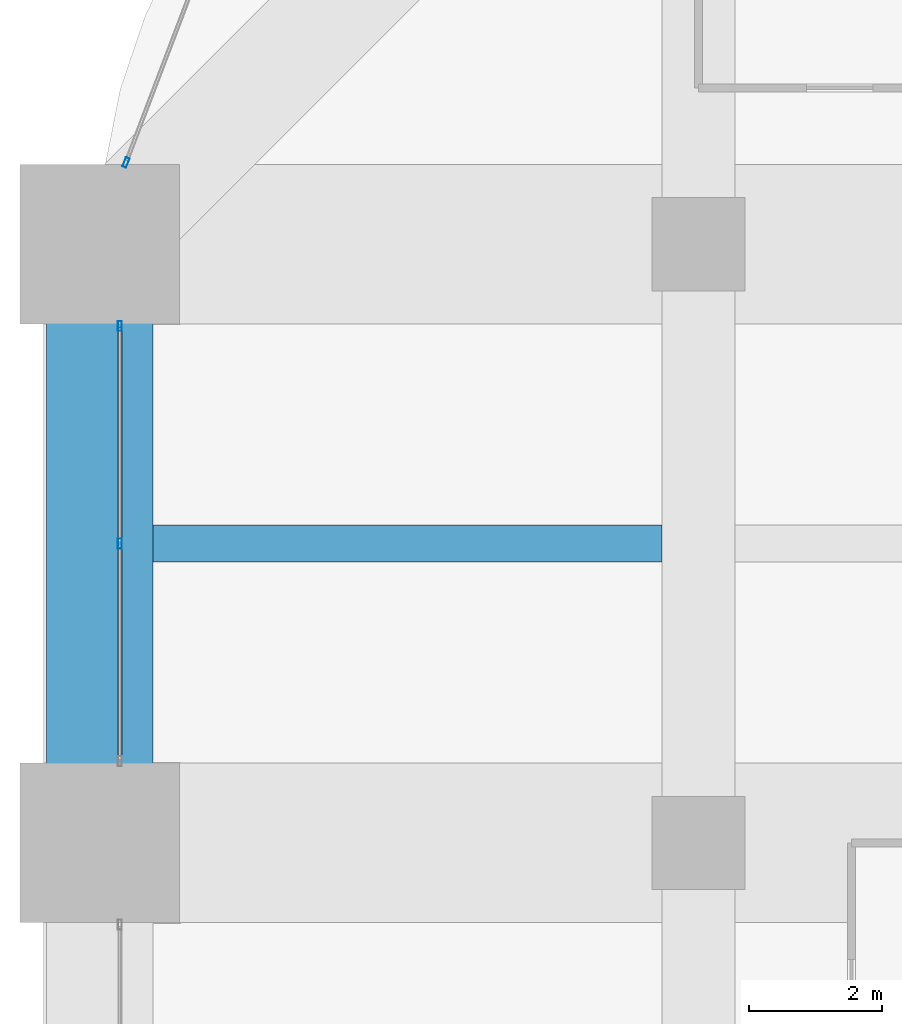
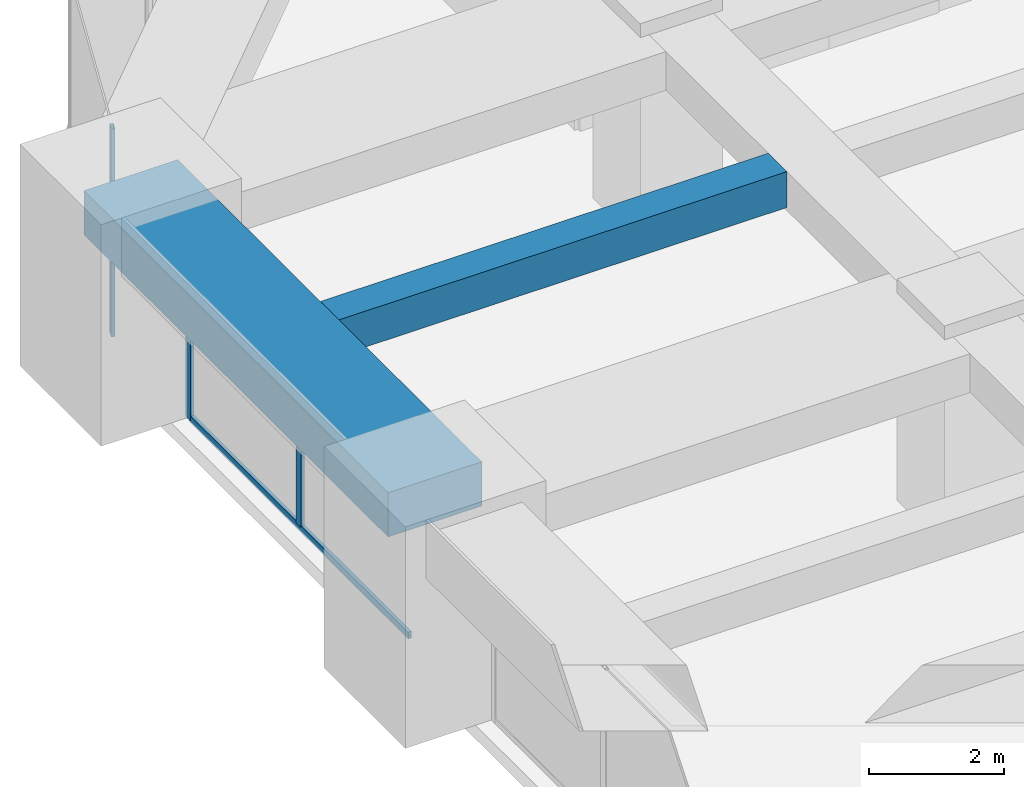
# One storey, part 19 of 34: 4 members, 2 beams, 2 elements without a shape of their own.
"""IFC4 building model written with IfcOpenShell, lengths in metres."""

from ifc_helpers import new_model, si_unit, direction, frame, origin, origin_2d, place, context, subcontext, project, spatial, rectangle, hollow_rectangle, extrude, material, material_profile, profile_set, type_object, element, aggregate, save


model = new_model("IFC4")

# Units and contexts
model_context = context("Model", 3, precision=1e-05, world=origin(), true_north=direction((0.0, 1.0)))
body_context = subcontext(model_context, "Body", "Model", "MODEL_VIEW")
ifc_project = project(units=[si_unit("LENGTHUNIT", "METRE"), si_unit("AREAUNIT", "SQUARE_METRE"), si_unit("VOLUMEUNIT", "CUBIC_METRE"), si_unit("PLANEANGLEUNIT", "RADIAN"), si_unit("MASSUNIT", "GRAM", prefix="KILO")], contexts=[model_context])

# Site, building, storey
site_placement = place(None, origin())
site = spatial("IfcSite", under=ifc_project, at=site_placement, CompositionType="ELEMENT")
building_placement = place(site_placement, origin())
building = spatial("IfcBuilding", under=site, at=building_placement, Name="Zorevar Civic Tower", CompositionType="ELEMENT")
storey_placement = place(building_placement, frame((0.0, 0.0, 226.199951171875)))
storey = spatial("IfcBuildingStorey", under=building, at=storey_placement, Name="L55", CompositionType="ELEMENT", Elevation=226.199951171875)

# Beam
ifc_material_1 = material(Name="Concrete C50/60", Category="concrete")
ifc_material_profile_1 = material_profile(ifc_material_1, rectangle(XDim=0.550048828125, YDim=0.64990234375, at=origin_2d()), Name="RC 550x650")
ifc_profile_set_1 = profile_set([ifc_material_profile_1], Name="Concrete C50/60")
beam_type_1 = type_object("IfcBeamType", Name="Beam RC 550x650", PredefinedType="BEAM", material=ifc_profile_set_1)
beam_1_placement = place(storey_placement, frame((0.800048828125, 31.5, 3.425048828125), z_axis=(1.0, 0.0, 0.0), x_axis=(0.0, 1.0, 0.0)))
element("IfcBeam", 1, at=beam_1_placement, inside=storey, type_object=beam_type_1, Name="Secondary beam L56", PredefinedType="BEAM", context=body_context, shape_type="SweptSolid", body=[
    extrude(rectangle(XDim=0.550048828125, YDim=0.64990234375, at=origin_2d()), origin(), (0.0, 0.0, 1.0), 7.64990234375),
])

# Curtain wall, members
ifc_material_2 = material(Name="Dark grey solar-control glass in black aluminium frame", Category="aluminium")
curtain_wall_type = type_object("IfcCurtainWallType", Name="Curtain wall CW4 high zone", PredefinedType="NOTDEFINED", material=ifc_material_2)
curtain_wall_1_placement = place(storey_placement, origin())
curtain_wall_1 = element("IfcCurtainWall", 2, at=curtain_wall_1_placement, inside=storey, type_object=curtain_wall_type, Name="CW4 L55", PredefinedType="NOTDEFINED")
ifc_material_3 = material(Name="Aluminium, black anodised", Category="aluminium")
ifc_material_profile_2 = material_profile(ifc_material_3, hollow_rectangle(XDim=0.06005859375, YDim=0.14990234375, WallThickness=0.00390625, at=origin_2d()), Name="AL 150x60x4")
ifc_profile_set_2 = profile_set([ifc_material_profile_2], Name="Aluminium, black anodised")
member_type_1 = type_object("IfcMemberType", Name="CW4 mullion AL 150x60x4", PredefinedType="MULLION", material=ifc_profile_set_2)
member_1_placement = place(storey_placement, frame((0.300048828125, 31.5, 0.06005859375), z_axis=(0.0, 0.0, 1.0), x_axis=(-1.0, 0.0, 0.0)))
member_1 = element("IfcMember", 3, at=member_1_placement, type_object=member_type_1, Name="CW4 mullion 2", PredefinedType="MULLION", context=body_context, shape_type="SweptSolid", body=[
    extrude(hollow_rectangle(XDim=0.06005859375, YDim=0.14990234375, WallThickness=0.00390625, at=origin_2d()), origin(), (0.0, 0.0, 1.0), 2.889892578125),
])
member_2_placement = place(storey_placement, frame((0.300048828125, 34.77001953125, 0.0), z_axis=(0.0, 0.0, 1.0), x_axis=(-1.0, 0.0, 0.0)))
member_2 = element("IfcMember", 4, at=member_2_placement, type_object=member_type_1, Name="CW4 mullion 3", PredefinedType="MULLION", context=body_context, shape_type="SweptSolid", body=[
    extrude(hollow_rectangle(XDim=0.06005859375, YDim=0.14990234375, WallThickness=0.00390625, at=origin_2d()), origin(), (0.0, 0.0, 1.0), 2.949951171875),
])

# Curtain wall, member
curtain_wall_2_placement = place(storey_placement, origin())
curtain_wall_2 = element("IfcCurtainWall", 5, at=curtain_wall_2_placement, inside=storey, type_object=curtain_wall_type, Name="CW4 L55", PredefinedType="NOTDEFINED")
member_3_placement = place(storey_placement, frame((0.393798828125, 37.22802734375, 0.0), z_axis=(0.0, 0.0, 1.0), x_axis=(0.93458842801, -0.355730895803, 0.0)))
member_3 = element("IfcMember", 6, at=member_3_placement, type_object=member_type_1, Name="CW4 mullion 2", PredefinedType="MULLION", context=body_context, shape_type="SweptSolid", body=[
    extrude(hollow_rectangle(XDim=0.06005859375, YDim=0.14990234375, WallThickness=0.00390625, at=origin_2d()), origin(), (0.0, 0.0, 1.0), 3.75),
])
aggregate(curtain_wall_2, [member_3])

# Member
ifc_material_4 = material(Name="Aluminium, black anodised", Category="aluminium")
ifc_material_profile_3 = material_profile(ifc_material_4, hollow_rectangle(XDim=0.06005859375, YDim=0.1201171875, WallThickness=0.0029296875, at=origin_2d()), Name="AL 120x60x3")
ifc_profile_set_3 = profile_set([ifc_material_profile_3], Name="Aluminium, black anodised")
member_type_2 = type_object("IfcMemberType", Name="CW4 transom AL 120x60x3", PredefinedType="USERDEFINED", material=ifc_profile_set_3)
member_4_placement = place(storey_placement, frame((0.300048828125, 28.260009765625, 0.030029296875), z_axis=(0.0, 1.0, 0.0), x_axis=(-1.0, 0.0, 0.0)))
member_4 = element("IfcMember", 7, at=member_4_placement, type_object=member_type_2, Name="CW4 sill transom", ObjectType="TRANSOM", PredefinedType="USERDEFINED", context=body_context, shape_type="SweptSolid", body=[
    extrude(hollow_rectangle(XDim=0.06005859375, YDim=0.1201171875, WallThickness=0.0029296875, at=origin_2d()), origin(), (0.0, 0.0, 1.0), 6.47998046875),
])

aggregate(curtain_wall_1, [member_1, member_2, member_4])

# Beam
ifc_material_5 = material(Name="Concrete C50/60", Category="concrete")
ifc_material_profile_4 = material_profile(ifc_material_5, rectangle(XDim=1.60009765625, YDim=0.800048828125, at=origin_2d()), Name="RC 1600x800")
ifc_profile_set_4 = profile_set([ifc_material_profile_4], Name="Concrete C50/60")
beam_type_2 = type_object("IfcBeamType", Name="Edge beam RC 1600x800", PredefinedType="SPANDREL", material=ifc_profile_set_4)
beam_2_placement = place(storey_placement, frame((0.0, 27.0, 3.35009765625), z_axis=(0.0, 1.0, 0.0), x_axis=(-1.0, 0.0, 0.0)))
element("IfcBeam", 8, at=beam_2_placement, inside=storey, type_object=beam_type_2, Name="Edge beam L56", PredefinedType="SPANDREL", context=body_context, shape_type="SweptSolid", body=[
    extrude(rectangle(XDim=1.60009765625, YDim=0.800048828125, at=origin_2d()), origin(), (0.0, 0.0, 1.0), 9.0),
])

save(model, "model.ifc")
